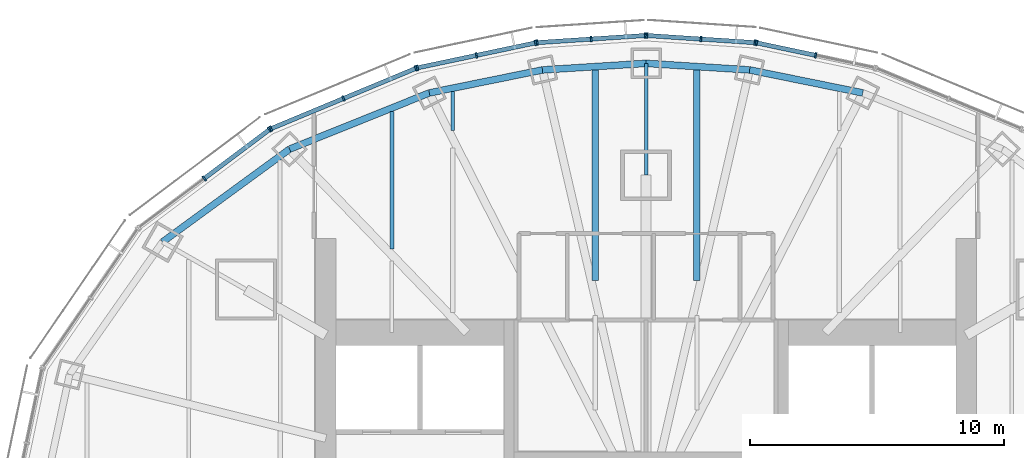
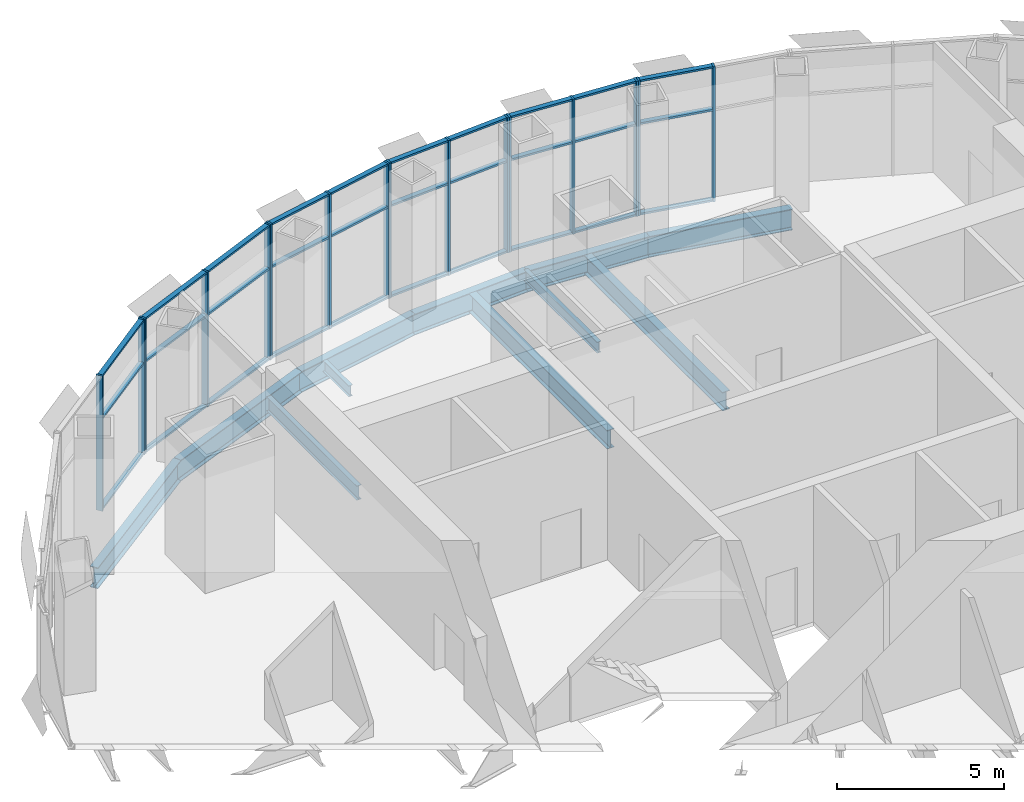
# One storey, part 7 of 17: 46 members, 11 beams, 6 elements without a shape of their own.
"""IFC4 building model written with IfcOpenShell, lengths in metres."""

import ifcopenshell
import ifcopenshell.guid

model = None  # the IFC model being written
_history = None  # IfcOwnerHistory: only IFC2X3 demands one
_inside = {}  # id of a spatial element -> (the spatial element, [elements in it])
_under = {}  # id of a project, library or spatial element -> (it, [spatial elements below it])
_declared = {}  # id of a project -> (the project, [libraries it declares])
_typed = {}  # id of a type object -> (the type object, [elements of that type])
_made_of = {}  # id of a material, layer set ... -> (it, [elements and type objects made of it])


def new_model(schema):
    """Start an empty IFC model of exactly this schema.

    Asked for "IFC4X3", IfcOpenShell would pick the latest addendum, in which some entities
    have other attributes; the version numbers below select the first issue.
    IFC2X3 requires an IfcOwnerHistory on every rooted entity: one is made here for all.
    """
    global model, _history
    if schema == "IFC4X3":
        model = ifcopenshell.file(schema_version=(4, 3, 0, 0))
    else:
        model = ifcopenshell.file(schema=schema)
    _inside.clear()
    _under.clear()
    _declared.clear()
    _typed.clear()
    _made_of.clear()
    _history = None
    if model.schema == "IFC2X3":
        org = make("IfcOrganization", Name="unknown")
        user = make(
            "IfcPersonAndOrganization",
            ThePerson=make("IfcPerson", FamilyName="unknown"),
            TheOrganization=org,
        )
        app = make(
            "IfcApplication",
            ApplicationDeveloper=org,
            Version="unknown",
            ApplicationFullName="unknown",
            ApplicationIdentifier="unknown",
        )
        _history = make(
            "IfcOwnerHistory",
            OwningUser=user,
            OwningApplication=app,
            ChangeAction="ADDED",
            CreationDate=0,
        )
    return model


def make(cls, **values):
    """One entity of the class cls with the attributes given. An attribute that is None is left unset."""
    return model.create_entity(
        cls, **{name: value for name, value in values.items() if value is not None}
    )


def rooted(cls, **values):
    """An entity with a GlobalId (a new one), such as an element, a storey or a relation."""
    return make(cls, GlobalId=ifcopenshell.guid.new(), OwnerHistory=_history, **values)


def si_unit(unit_type, name, prefix=None):
    """IfcSIUnit, for example si_unit("LENGTHUNIT", "METRE", prefix="MILLI")."""
    return make("IfcSIUnit", UnitType=unit_type, Prefix=prefix, Name=name)


def assignment(units):
    """IfcUnitAssignment: the units of a project."""
    return None if units is None else make("IfcUnitAssignment", Units=units)


def point(xyz):
    """IfcCartesianPoint."""
    return None if xyz is None else make("IfcCartesianPoint", Coordinates=xyz)


def direction(xyz):
    """IfcDirection."""
    return None if xyz is None else make("IfcDirection", DirectionRatios=xyz)


def frame(location, z_axis=None, x_axis=None):
    """IfcAxis2Placement3D, a coordinate frame: its origin and axes. An axis left out is left unset."""
    return make(
        "IfcAxis2Placement3D",
        Location=point(location),
        Axis=direction(z_axis),
        RefDirection=direction(x_axis),
    )


def frame_2d(location, x_axis=None):
    """IfcAxis2Placement2D, a coordinate frame in the plane: its origin and x axis."""
    return make(
        "IfcAxis2Placement2D", Location=point(location), RefDirection=direction(x_axis)
    )


def origin():
    """The frame at (0, 0, 0) with its axes left unset."""
    return frame((0.0, 0.0, 0.0))


def origin_2d():
    """The frame at (0, 0) in the plane with its x axis left unset."""
    return frame_2d((0.0, 0.0))


def place(relative_to, where):
    """IfcLocalPlacement: puts the frame where relative to a parent placement (None: the world)."""
    return make(
        "IfcLocalPlacement", PlacementRelTo=relative_to, RelativePlacement=where
    )


def context(
    kind, dimensions, precision=None, world=None, true_north=None, identifier=None
):
    """IfcGeometricRepresentationContext, for example the 3D "Model" context."""
    return make(
        "IfcGeometricRepresentationContext",
        ContextIdentifier=identifier,
        ContextType=kind,
        CoordinateSpaceDimension=dimensions,
        Precision=precision,
        WorldCoordinateSystem=world,
        TrueNorth=true_north,
    )


def subcontext(parent, identifier, kind, view, scale=None):
    """IfcGeometricRepresentationSubContext, for example "Body" below "Model"."""
    return make(
        "IfcGeometricRepresentationSubContext",
        ContextIdentifier=identifier,
        ContextType=kind,
        ParentContext=parent,
        TargetScale=scale,
        TargetView=view,
    )


def project(units=None, contexts=None):
    """IfcProject with its units and contexts."""
    return rooted(
        "IfcProject",
        Name="project",
        RepresentationContexts=contexts,
        UnitsInContext=assignment(units),
    )


def spatial(cls, under=None, at=None, **own):
    """A site, building, storey or space (cls), placed at a placement, below another one or the project."""
    s = rooted(cls, ObjectPlacement=at, **own)
    if under is not None:
        _under.setdefault(under.id(), (under, []))[1].append(s)
    return s


def profile(cls, at=None, kind="AREA", **sizes):
    """A parametric profile (cls). Its sizes go by their IFC names, for example OverallWidth=200.0."""
    return make(cls, ProfileType=kind, Position=at, **sizes)


def rectangle(**sizes):
    """IfcRectangleProfileDef."""
    return profile("IfcRectangleProfileDef", **sizes)


def i_section(**sizes):
    """IfcIShapeProfileDef."""
    return profile("IfcIShapeProfileDef", **sizes)


def extrude(swept, where, along, depth):
    """IfcExtrudedAreaSolid: the profile swept, set in the frame where, extruded along a direction by depth."""
    return make(
        "IfcExtrudedAreaSolid",
        SweptArea=swept,
        Position=where,
        ExtrudedDirection=direction(along),
        Depth=depth,
    )


def shape(context_of_items, identifier, shape_type, items):
    """IfcShapeRepresentation: the items that make up one representation, for example the "Body"."""
    return make(
        "IfcShapeRepresentation",
        ContextOfItems=context_of_items,
        RepresentationIdentifier=identifier,
        RepresentationType=shape_type,
        Items=items,
    )


def material(Name=None, Category=None):
    """IfcMaterial."""
    return make("IfcMaterial", Name=Name, Category=Category)


def material_profile(
    of_material, cross_section, Name=None, Category=None, Priority=None
):
    """IfcMaterialProfile: a cross section and its material."""
    return make(
        "IfcMaterialProfile",
        Name=Name,
        Material=of_material,
        Profile=cross_section,
        Priority=Priority,
        Category=Category,
    )


def profile_set(profiles, Name=None, composite=None):
    """IfcMaterialProfileSet."""
    return make(
        "IfcMaterialProfileSet",
        Name=Name,
        MaterialProfiles=profiles,
        CompositeProfile=composite,
    )


def made_of(thing, what):
    """Note that an element or type object is made of a material, layer set ...; save() writes the relation."""
    if what is not None:
        _made_of.setdefault(what.id(), (what, []))[1].append(thing)
    return thing


def type_object(cls, material=None, **own):
    """A type object (cls), such as IfcWallType, which elements share."""
    return made_of(rooted(cls, **own), material)


def element(
    cls,
    number,
    at=None,
    inside=None,
    cuts=None,
    type_object=None,
    material=None,
    context=None,
    identifier="Body",
    shape_type=None,
    held_by="IfcProductDefinitionShape",
    body=None,
    shapes=None,
    **own,
):
    """One element of the class cls, such as IfcWall. Its Tag is "e" and its number.

    at: its placement. inside: the storey or other place that contains it. cuts: it is an
    opening in that element (IfcRelVoidsElement). A single representation is given by context,
    identifier, shape_type and body (its items); several are given by shapes. held_by: the class
    of the entity that holds the representations. save() writes the other relations.
    """
    e = rooted(cls, Tag="e%d" % number, ObjectPlacement=at, **own)
    if body is not None:
        shapes = [shape(context, identifier, shape_type, body)]
    if shapes is not None:
        e.Representation = make(held_by, Representations=shapes)
    if inside is not None:
        _inside.setdefault(inside.id(), (inside, []))[1].append(e)
    if cuts is not None:
        rooted(
            "IfcRelVoidsElement", RelatingBuildingElement=cuts, RelatedOpeningElement=e
        )
    if type_object is not None:
        _typed.setdefault(type_object.id(), (type_object, []))[1].append(e)
    return made_of(e, material)


def aggregate(whole, parts):
    """IfcRelAggregates: a whole, such as a stair, and the parts it consists of."""
    return rooted("IfcRelAggregates", RelatingObject=whole, RelatedObjects=parts)


def save(model, path):
    """Write the relations noted so far, then the file.

    IfcRelAggregates (storeys below a building ...), IfcRelContainedInSpatialStructure (elements
    in a storey), IfcRelDefinesByType, IfcRelAssociatesMaterial and IfcRelDeclares: one each for
    every whole, place, type object, material and project.
    """
    for whole, parts in _under.values():
        aggregate(whole, parts)
    for where, things in _inside.values():
        rooted(
            "IfcRelContainedInSpatialStructure",
            RelatedElements=things,
            RelatingStructure=where,
        )
    for kind, things in _typed.values():
        rooted("IfcRelDefinesByType", RelatedObjects=things, RelatingType=kind)
    for what, things in _made_of.values():
        rooted("IfcRelAssociatesMaterial", RelatedObjects=things, RelatingMaterial=what)
    for by, libraries in _declared.values():
        rooted("IfcRelDeclares", RelatingContext=by, RelatedDefinitions=libraries)
    model.write(path)


model = new_model("IFC4")

# Units and contexts
model_context = context("Model", 3, precision=1e-05, world=origin(), true_north=direction((0.0, 1.0)))
body_context = subcontext(model_context, "Body", "Model", "MODEL_VIEW")
ifc_project = project(units=[si_unit("LENGTHUNIT", "METRE"), si_unit("AREAUNIT", "SQUARE_METRE"), si_unit("VOLUMEUNIT", "CUBIC_METRE"), si_unit("PLANEANGLEUNIT", "RADIAN"), si_unit("MASSUNIT", "GRAM", prefix="KILO")], contexts=[model_context])

# Site, building, storey
site_placement = place(None, origin())
site = spatial("IfcSite", under=ifc_project, at=site_placement, CompositionType="ELEMENT")
building_placement = place(site_placement, origin())
building = spatial("IfcBuilding", under=site, at=building_placement, Name="Lantaw Convention Tower", CompositionType="ELEMENT")
storey_placement = place(building_placement, frame((0.0, 0.0, 279.39990234375)))
storey = spatial("IfcBuildingStorey", under=building, at=storey_placement, Name="L65", CompositionType="ELEMENT", Elevation=279.39990234375)

# Beams
ifc_material_1 = material(Name="Steel ASTM A992", Category="steel")
ifc_material_profile_1 = material_profile(ifc_material_1, i_section(OverallWidth=0.2666015625, OverallDepth=0.76953125, WebThickness=0.015625, FlangeThickness=0.025390625, FilletRadius=0.0126953125, at=origin_2d()), Name="W30X132")
ifc_profile_set_1 = profile_set([ifc_material_profile_1], Name="Steel ASTM A992")
beam_type_1 = type_object("IfcBeamType", Name="Beam E W30X132", PredefinedType="SPANDREL", material=ifc_profile_set_1)
beam_1_placement = place(storey_placement, frame((8.5283203125, 16.73779296875, -0.53466796875), z_axis=(-0.980006466425, 0.198965639657, 0.0), x_axis=(-0.198965639657, -0.980006466425, 0.0)))
element("IfcBeam", 1, at=beam_1_placement, inside=storey, type_object=beam_type_1, Name="Edge beam 5", PredefinedType="SPANDREL", context=body_context, shape_type="SweptSolid", body=[
    extrude(i_section(OverallWidth=0.2666015625, OverallDepth=0.76953125, WebThickness=0.015625, FlangeThickness=0.025390625, FilletRadius=0.0126953125, at=origin_2d()), origin(), (0.0, 0.0, 1.0), 4.546142578125),
])
for number, where, z_axis, x_axis, name in (
    (2, (4.072998046875, 17.642333984375, -0.53466796875), (-0.998006453216, 0.063111958769, 0.0), (-0.063111958769, -0.998006453216, 0.0), "Edge beam 6"),
    (3, (0.0, 17.89990234375, -0.53466796875), (-0.998006453216, -0.063111958769, 0.0), (0.063111958769, -0.998006453216, 0.0), "Edge beam 7"),
):
    element("IfcBeam", number, at=place(storey_placement, frame(where, z_axis=z_axis, x_axis=x_axis)), inside=storey, type_object=beam_type_1, Name=name, PredefinedType="SPANDREL", context=body_context, shape_type="SweptSolid", body=[
        extrude(i_section(OverallWidth=0.2666015625, OverallDepth=0.76953125, WebThickness=0.015625, FlangeThickness=0.025390625, FilletRadius=0.0126953125, at=origin_2d()), origin(), (0.0, 0.0, 1.0), 4.0810546875),
    ])
beam_2_placement = place(storey_placement, frame((-4.072998046875, 17.642333984375, -0.53466796875), z_axis=(-0.980006466425, -0.198965639657, 0.0), x_axis=(0.198965639657, -0.980006466425, 0.0)))
element("IfcBeam", 4, at=beam_2_placement, inside=storey, type_object=beam_type_1, Name="Edge beam 8", PredefinedType="SPANDREL", context=body_context, shape_type="SweptSolid", body=[
    extrude(i_section(OverallWidth=0.2666015625, OverallDepth=0.76953125, WebThickness=0.015625, FlangeThickness=0.025390625, FilletRadius=0.0126953125, at=origin_2d()), origin(), (0.0, 0.0, 1.0), 4.546142578125),
])
beam_3_placement = place(storey_placement, frame((-8.5283203125, 16.73779296875, -0.53466796875), z_axis=(-0.927779110974, -0.373129898615, 0.0), x_axis=(0.373129898615, -0.927779110974, 0.0)))
element("IfcBeam", 5, at=beam_3_placement, inside=storey, type_object=beam_type_1, Name="Edge beam 9", PredefinedType="SPANDREL", context=body_context, shape_type="SweptSolid", body=[
    extrude(i_section(OverallWidth=0.2666015625, OverallDepth=0.76953125, WebThickness=0.015625, FlangeThickness=0.025390625, FilletRadius=0.0126953125, at=origin_2d()), origin(), (0.0, 0.0, 1.0), 5.92724609375),
])
beam_4_placement = place(storey_placement, frame((-14.027587890625, 14.526123046875, -0.53466796875), z_axis=(-0.807371616826, -0.59004328006, 0.0), x_axis=(0.59004328006, -0.807371616826, 0.0)))
element("IfcBeam", 6, at=beam_4_placement, inside=storey, type_object=beam_type_1, Name="Edge beam 10", PredefinedType="SPANDREL", context=body_context, shape_type="SweptSolid", body=[
    extrude(i_section(OverallWidth=0.2666015625, OverallDepth=0.76953125, WebThickness=0.015625, FlangeThickness=0.025390625, FilletRadius=0.0126953125, at=origin_2d()), origin(), (0.0, 0.0, 1.0), 6.192138671875),
])
ifc_material_profile_2 = material_profile(ifc_material_1, i_section(OverallWidth=0.140380859375, OverallDepth=0.40380859375, WebThickness=0.007080078125, FlangeThickness=0.01123046875, FilletRadius=0.01025390625, at=origin_2d()), Name="W16X31")
ifc_profile_set_2 = profile_set([ifc_material_profile_2], Name="Steel ASTM A992")
beam_type_2 = type_object("IfcBeamType", Name="Beam G W16X31", PredefinedType="BEAM", material=ifc_profile_set_2)
beam_5_placement = place(storey_placement, frame((0.0, 13.5, -0.351806640625), z_axis=(0.0, 1.0, 0.0), x_axis=(-1.0, 0.0, 0.0)))
element("IfcBeam", 7, at=beam_5_placement, inside=storey, type_object=beam_type_2, Name="Floor girder on ray 7", PredefinedType="BEAM", context=body_context, shape_type="SweptSolid", body=[
    extrude(i_section(OverallWidth=0.140380859375, OverallDepth=0.40380859375, WebThickness=0.007080078125, FlangeThickness=0.01123046875, FilletRadius=0.01025390625, at=origin_2d()), origin(), (0.0, 0.0, 1.0), 4.39990234375),
])
ifc_material_profile_3 = material_profile(ifc_material_1, i_section(OverallWidth=0.140380859375, OverallDepth=0.40380859375, WebThickness=0.007080078125, FlangeThickness=0.01123046875, FilletRadius=0.01025390625, at=origin_2d()), Name="W16X31")
ifc_profile_set_3 = profile_set([ifc_material_profile_3], Name="Steel ASTM A992")
beam_type_3 = type_object("IfcBeamType", Name="Beam J W16X31", PredefinedType="JOIST", material=ifc_profile_set_3)
beam_6_placement = place(storey_placement, frame((-7.60009765625, 15.25439453125, -0.351806640625), z_axis=(0.0, 1.0, 0.0), x_axis=(-1.0, 0.0, 0.0)))
element("IfcBeam", 8, at=beam_6_placement, inside=storey, type_object=beam_type_3, Name="Floor joist", PredefinedType="JOIST", context=body_context, shape_type="SweptSolid", body=[
    extrude(i_section(OverallWidth=0.140380859375, OverallDepth=0.40380859375, WebThickness=0.007080078125, FlangeThickness=0.01123046875, FilletRadius=0.01025390625, at=origin_2d()), origin(), (0.0, 0.0, 1.0), 1.535888671875),
])
ifc_material_profile_4 = material_profile(ifc_material_1, i_section(OverallWidth=0.1650390625, OverallDepth=0.52587890625, WebThickness=0.0087890625, FlangeThickness=0.011474609375, FilletRadius=0.0126953125, at=origin_2d()), Name="W21X44")
ifc_profile_set_4 = profile_set([ifc_material_profile_4], Name="Steel ASTM A992")
beam_type_4 = type_object("IfcBeamType", Name="Beam J W21X44", PredefinedType="JOIST", material=ifc_profile_set_4)
beam_7_placement = place(storey_placement, frame((-10.0, 10.591064453125, -0.412841796875), z_axis=(0.0, 1.0, 0.0), x_axis=(-1.0, 0.0, 0.0)))
element("IfcBeam", 9, at=beam_7_placement, inside=storey, type_object=beam_type_4, Name="Floor joist", PredefinedType="JOIST", context=body_context, shape_type="SweptSolid", body=[
    extrude(i_section(OverallWidth=0.1650390625, OverallDepth=0.52587890625, WebThickness=0.0087890625, FlangeThickness=0.011474609375, FilletRadius=0.0126953125, at=origin_2d()), origin(), (0.0, 0.0, 1.0), 5.4111328125),
])
ifc_material_profile_5 = material_profile(ifc_material_1, i_section(OverallWidth=0.25390625, OverallDepth=0.683349609375, WebThickness=0.012451171875, FlangeThickness=0.01904296875, FilletRadius=0.01513671875, at=origin_2d()), Name="W27X94")
ifc_profile_set_5 = profile_set([ifc_material_profile_5], Name="Steel ASTM A992")
beam_type_5 = type_object("IfcBeamType", Name="Beam J W27X94", PredefinedType="JOIST", material=ifc_profile_set_5)
for number, where, z_axis, x_axis, name in (
    (10, (-2.0, 9.34619140625, -0.491455078125), (0.0, 1.0, 0.0), (-1.0, 0.0, 0.0), "Floor joist"),
    (11, (2.0, 9.34619140625, -0.491455078125), (0.0, 1.0, 0.0), (-1.0, 0.0, 0.0), "Floor joist"),
):
    element("IfcBeam", number, at=place(storey_placement, frame(where, z_axis=z_axis, x_axis=x_axis)), inside=storey, type_object=beam_type_5, Name=name, PredefinedType="JOIST", context=body_context, shape_type="SweptSolid", body=[
        extrude(i_section(OverallWidth=0.25390625, OverallDepth=0.683349609375, WebThickness=0.012451171875, FlangeThickness=0.01904296875, FilletRadius=0.01513671875, at=origin_2d()), origin(), (0.0, 0.0, 1.0), 8.293701171875),
    ])

# Curtain wall, members
ifc_material_2 = material(Name="Aluminium framed curtain wall", Category="aluminium")
curtain_wall_type = type_object("IfcCurtainWallType", Name="Executive floors curtain wall, pale aluminium", PredefinedType="USERDEFINED", material=ifc_material_2)
curtain_wall_1_placement = place(storey_placement, origin())
curtain_wall_1 = element("IfcCurtainWall", 12, at=curtain_wall_1_placement, inside=storey, type_object=curtain_wall_type, Name="Executive floors curtain wall, pale aluminium L65", ObjectType="UNITISED CURTAIN WALL", PredefinedType="USERDEFINED")
ifc_material_3 = material(Name="Aluminium 6063-T6", Category="aluminium")
ifc_material_profile_6 = material_profile(ifc_material_3, rectangle(XDim=0.219970703125, YDim=0.070068359375, at=origin_2d()), Name="CW-T mullion 70x220")
ifc_profile_set_6 = profile_set([ifc_material_profile_6], Name="Aluminium 6063-T6")
member_type_1 = type_object("IfcMemberType", Name="CW-T mullion 70x220", PredefinedType="MULLION", material=ifc_profile_set_6)
member_1_placement = place(storey_placement, frame((6.674072265625, 18.216064453125, -0.14990234375), z_axis=(0.0, 0.0, 1.0), x_axis=(-0.207039911975, -0.978332497083, 0.0)))
member_1 = element("IfcMember", 13, at=member_1_placement, type_object=member_type_1, Name="CW-T mullion 2", PredefinedType="MULLION", context=body_context, shape_type="SweptSolid", body=[
    extrude(rectangle(XDim=0.219970703125, YDim=0.070068359375, at=origin_2d()), origin(), (0.0, 0.0, 1.0), 4.949951171875),
])
member_2_placement = place(storey_placement, frame((4.354736328125, 18.706787109375, -0.14990234375), z_axis=(0.0, 0.0, 1.0), x_axis=(-0.207039911975, -0.978332497083, 0.0)))
member_2 = element("IfcMember", 14, at=member_2_placement, type_object=member_type_1, Name="CW-T mullion 3", PredefinedType="MULLION", context=body_context, shape_type="SweptSolid", body=[
    extrude(rectangle(XDim=0.219970703125, YDim=0.070068359375, at=origin_2d()), origin(), (0.0, 0.0, 1.0), 4.949951171875),
])

curtain_wall_2_placement = place(storey_placement, origin())
curtain_wall_2 = element("IfcCurtainWall", 15, at=curtain_wall_2_placement, inside=storey, type_object=curtain_wall_type, Name="Executive floors curtain wall, pale aluminium L65", ObjectType="UNITISED CURTAIN WALL", PredefinedType="USERDEFINED")
member_3_placement = place(storey_placement, frame((4.28564453125, 18.71630859375, -0.14990234375), z_axis=(0.0, 0.0, 1.0), x_axis=(-0.066024902273, -0.997817975525, 0.0)))
member_3 = element("IfcMember", 16, at=member_3_placement, type_object=member_type_1, Name="CW-T mullion 1", PredefinedType="MULLION", context=body_context, shape_type="SweptSolid", body=[
    extrude(rectangle(XDim=0.219970703125, YDim=0.070068359375, at=origin_2d()), origin(), (0.0, 0.0, 1.0), 4.949951171875),
])
member_4_placement = place(storey_placement, frame((2.16015625, 18.857177734375, -0.14990234375), z_axis=(0.0, 0.0, 1.0), x_axis=(-0.066024902273, -0.997817975525, 0.0)))
member_4 = element("IfcMember", 17, at=member_4_placement, type_object=member_type_1, Name="CW-T mullion 2", PredefinedType="MULLION", context=body_context, shape_type="SweptSolid", body=[
    extrude(rectangle(XDim=0.219970703125, YDim=0.070068359375, at=origin_2d()), origin(), (0.0, 0.0, 1.0), 4.949951171875),
])
member_5_placement = place(storey_placement, frame((0.034912109375, 18.997802734375, -0.14990234375), z_axis=(0.0, 0.0, 1.0), x_axis=(-0.066024902273, -0.997817975525, 0.0)))
member_5 = element("IfcMember", 18, at=member_5_placement, type_object=member_type_1, Name="CW-T mullion 3", PredefinedType="MULLION", context=body_context, shape_type="SweptSolid", body=[
    extrude(rectangle(XDim=0.219970703125, YDim=0.070068359375, at=origin_2d()), origin(), (0.0, 0.0, 1.0), 4.949951171875),
])

curtain_wall_3_placement = place(storey_placement, origin())
curtain_wall_3 = element("IfcCurtainWall", 19, at=curtain_wall_3_placement, inside=storey, type_object=curtain_wall_type, Name="Executive floors curtain wall, pale aluminium L65", ObjectType="UNITISED CURTAIN WALL", PredefinedType="USERDEFINED")
member_6_placement = place(storey_placement, frame((-0.034912109375, 18.997802734375, -0.14990234375), z_axis=(0.0, 0.0, 1.0), x_axis=(0.066024902273, -0.997817975525, 0.0)))
member_6 = element("IfcMember", 20, at=member_6_placement, type_object=member_type_1, Name="CW-T mullion 1", PredefinedType="MULLION", context=body_context, shape_type="SweptSolid", body=[
    extrude(rectangle(XDim=0.219970703125, YDim=0.070068359375, at=origin_2d()), origin(), (0.0, 0.0, 1.0), 4.949951171875),
])
member_7_placement = place(storey_placement, frame((-2.16015625, 18.857177734375, -0.14990234375), z_axis=(0.0, 0.0, 1.0), x_axis=(0.066024902273, -0.997817975525, 0.0)))
member_7 = element("IfcMember", 21, at=member_7_placement, type_object=member_type_1, Name="CW-T mullion 2", PredefinedType="MULLION", context=body_context, shape_type="SweptSolid", body=[
    extrude(rectangle(XDim=0.219970703125, YDim=0.070068359375, at=origin_2d()), origin(), (0.0, 0.0, 1.0), 4.949951171875),
])
member_8_placement = place(storey_placement, frame((-4.28564453125, 18.71630859375, -0.14990234375), z_axis=(0.0, 0.0, 1.0), x_axis=(0.066024902273, -0.997817975525, 0.0)))
member_8 = element("IfcMember", 22, at=member_8_placement, type_object=member_type_1, Name="CW-T mullion 3", PredefinedType="MULLION", context=body_context, shape_type="SweptSolid", body=[
    extrude(rectangle(XDim=0.219970703125, YDim=0.070068359375, at=origin_2d()), origin(), (0.0, 0.0, 1.0), 4.949951171875),
])

curtain_wall_4_placement = place(storey_placement, origin())
curtain_wall_4 = element("IfcCurtainWall", 23, at=curtain_wall_4_placement, inside=storey, type_object=curtain_wall_type, Name="Executive floors curtain wall, pale aluminium L65", ObjectType="UNITISED CURTAIN WALL", PredefinedType="USERDEFINED")
member_9_placement = place(storey_placement, frame((-4.354736328125, 18.706787109375, -0.14990234375), z_axis=(0.0, 0.0, 1.0), x_axis=(0.207039911975, -0.978332497083, 0.0)))
member_9 = element("IfcMember", 24, at=member_9_placement, type_object=member_type_1, Name="CW-T mullion 1", PredefinedType="MULLION", context=body_context, shape_type="SweptSolid", body=[
    extrude(rectangle(XDim=0.219970703125, YDim=0.070068359375, at=origin_2d()), origin(), (0.0, 0.0, 1.0), 4.949951171875),
])
member_10_placement = place(storey_placement, frame((-6.674072265625, 18.216064453125, -0.14990234375), z_axis=(0.0, 0.0, 1.0), x_axis=(0.207039911975, -0.978332497083, 0.0)))
member_10 = element("IfcMember", 25, at=member_10_placement, type_object=member_type_1, Name="CW-T mullion 2", PredefinedType="MULLION", context=body_context, shape_type="SweptSolid", body=[
    extrude(rectangle(XDim=0.219970703125, YDim=0.070068359375, at=origin_2d()), origin(), (0.0, 0.0, 1.0), 4.949951171875),
])
member_11_placement = place(storey_placement, frame((-8.993408203125, 17.72509765625, -0.14990234375), z_axis=(0.0, 0.0, 1.0), x_axis=(0.207039911975, -0.978332497083, 0.0)))
member_11 = element("IfcMember", 26, at=member_11_placement, type_object=member_type_1, Name="CW-T mullion 3", PredefinedType="MULLION", context=body_context, shape_type="SweptSolid", body=[
    extrude(rectangle(XDim=0.219970703125, YDim=0.070068359375, at=origin_2d()), origin(), (0.0, 0.0, 1.0), 4.949951171875),
])

curtain_wall_5_placement = place(storey_placement, origin())
curtain_wall_5 = element("IfcCurtainWall", 27, at=curtain_wall_5_placement, inside=storey, type_object=curtain_wall_type, Name="Executive floors curtain wall, pale aluminium L65", ObjectType="UNITISED CURTAIN WALL", PredefinedType="USERDEFINED")
member_12_placement = place(storey_placement, frame((-9.06005859375, 17.70458984375, -0.14990234375), z_axis=(0.0, 0.0, 1.0), x_axis=(0.384459697924, -0.923141777124, 0.0)))
member_12 = element("IfcMember", 28, at=member_12_placement, type_object=member_type_1, Name="CW-T mullion 1", PredefinedType="MULLION", context=body_context, shape_type="SweptSolid", body=[
    extrude(rectangle(XDim=0.219970703125, YDim=0.070068359375, at=origin_2d()), origin(), (0.0, 0.0, 1.0), 4.949951171875),
])
member_13_placement = place(storey_placement, frame((-11.90966796875, 16.517578125, -0.14990234375), z_axis=(0.0, 0.0, 1.0), x_axis=(0.384459697924, -0.923141777124, 0.0)))
member_13 = element("IfcMember", 29, at=member_13_placement, type_object=member_type_1, Name="CW-T mullion 2", PredefinedType="MULLION", context=body_context, shape_type="SweptSolid", body=[
    extrude(rectangle(XDim=0.219970703125, YDim=0.070068359375, at=origin_2d()), origin(), (0.0, 0.0, 1.0), 4.949951171875),
])
member_14_placement = place(storey_placement, frame((-14.759521484375, 15.330810546875, -0.14990234375), z_axis=(0.0, 0.0, 1.0), x_axis=(0.384459697924, -0.923141777124, 0.0)))
member_14 = element("IfcMember", 30, at=member_14_placement, type_object=member_type_1, Name="CW-T mullion 3", PredefinedType="MULLION", context=body_context, shape_type="SweptSolid", body=[
    extrude(rectangle(XDim=0.219970703125, YDim=0.070068359375, at=origin_2d()), origin(), (0.0, 0.0, 1.0), 4.949951171875),
])

curtain_wall_6_placement = place(storey_placement, origin())
curtain_wall_6 = element("IfcCurtainWall", 31, at=curtain_wall_6_placement, inside=storey, type_object=curtain_wall_type, Name="Executive floors curtain wall, pale aluminium L65", ObjectType="UNITISED CURTAIN WALL", PredefinedType="USERDEFINED")
member_15_placement = place(storey_placement, frame((-14.81982421875, 15.29638671875, -0.14990234375), z_axis=(0.0, 0.0, 1.0), x_axis=(0.600642756762, -0.799517528732, 0.0)))
member_15 = element("IfcMember", 32, at=member_15_placement, type_object=member_type_1, Name="CW-T mullion 1", PredefinedType="MULLION", context=body_context, shape_type="SweptSolid", body=[
    extrude(rectangle(XDim=0.219970703125, YDim=0.070068359375, at=origin_2d()), origin(), (0.0, 0.0, 1.0), 4.949951171875),
])
member_16_placement = place(storey_placement, frame((-17.386962890625, 13.367919921875, -0.14990234375), z_axis=(0.0, 0.0, 1.0), x_axis=(0.600642756762, -0.799517528732, 0.0)))
member_16 = element("IfcMember", 33, at=member_16_placement, type_object=member_type_1, Name="CW-T mullion 2", PredefinedType="MULLION", context=body_context, shape_type="SweptSolid", body=[
    extrude(rectangle(XDim=0.219970703125, YDim=0.070068359375, at=origin_2d()), origin(), (0.0, 0.0, 1.0), 4.949951171875),
])

# Member
ifc_material_profile_7 = material_profile(ifc_material_3, rectangle(XDim=0.169921875, YDim=0.070068359375, at=origin_2d()), Name="CW-T transom 70x170")
ifc_profile_set_7 = profile_set([ifc_material_profile_7], Name="Aluminium 6063-T6")
member_type_2 = type_object("IfcMemberType", Name="CW-T transom 70x170", PredefinedType="USERDEFINED", material=ifc_profile_set_7)
member_17_placement = place(storey_placement, frame((6.639892578125, 18.223388671875, -0.114990234375), z_axis=(-0.978336479598, 0.207021092375, 0.0), x_axis=(-0.207021092375, -0.978336479598, 0.0)))
member_17 = element("IfcMember", 34, at=member_17_placement, type_object=member_type_2, Name="CW-T transom 2.1", ObjectType="TRANSOM", PredefinedType="USERDEFINED", context=body_context, shape_type="SweptSolid", body=[
    extrude(rectangle(XDim=0.169921875, YDim=0.070068359375, at=origin_2d()), origin(), (0.0, 0.0, 1.0), 2.30078125),
])

member_18_placement = place(storey_placement, frame((6.639892578125, 18.223388671875, 3.2001953125), z_axis=(-0.978336479598, 0.207021092375, 0.0), x_axis=(-0.207021092375, -0.978336479598, 0.0)))
member_18 = element("IfcMember", 35, at=member_18_placement, type_object=member_type_2, Name="CW-T transom 2.2", ObjectType="TRANSOM", PredefinedType="USERDEFINED", context=body_context, shape_type="SweptSolid", body=[
    extrude(rectangle(XDim=0.169921875, YDim=0.070068359375, at=origin_2d()), origin(), (0.0, 0.0, 1.0), 2.30078125),
])

member_19_placement = place(storey_placement, frame((6.639892578125, 18.223388671875, 4.76513671875), z_axis=(-0.978336479598, 0.207021092375, 0.0), x_axis=(-0.207021092375, -0.978336479598, 0.0)))
member_19 = element("IfcMember", 36, at=member_19_placement, type_object=member_type_2, Name="CW-T transom 2.3", ObjectType="TRANSOM", PredefinedType="USERDEFINED", context=body_context, shape_type="SweptSolid", body=[
    extrude(rectangle(XDim=0.169921875, YDim=0.070068359375, at=origin_2d()), origin(), (0.0, 0.0, 1.0), 2.30078125),
])

aggregate(curtain_wall_1, [member_1, member_2, member_17, member_18, member_19])

member_20_placement = place(storey_placement, frame((4.250732421875, 18.71875, -0.114990234375), z_axis=(-0.997819110413, 0.066007748753, 0.0), x_axis=(-0.066007748753, -0.997819110413, 0.0)))
member_20 = element("IfcMember", 37, at=member_20_placement, type_object=member_type_2, Name="CW-T transom 1.1", ObjectType="TRANSOM", PredefinedType="USERDEFINED", context=body_context, shape_type="SweptSolid", body=[
    extrude(rectangle(XDim=0.169921875, YDim=0.070068359375, at=origin_2d()), origin(), (0.0, 0.0, 1.0), 2.06005859375),
])

member_21_placement = place(storey_placement, frame((4.250732421875, 18.71875, 3.2001953125), z_axis=(-0.997819110413, 0.066007748753, 0.0), x_axis=(-0.066007748753, -0.997819110413, 0.0)))
member_21 = element("IfcMember", 38, at=member_21_placement, type_object=member_type_2, Name="CW-T transom 1.2", ObjectType="TRANSOM", PredefinedType="USERDEFINED", context=body_context, shape_type="SweptSolid", body=[
    extrude(rectangle(XDim=0.169921875, YDim=0.070068359375, at=origin_2d()), origin(), (0.0, 0.0, 1.0), 2.06005859375),
])

member_22_placement = place(storey_placement, frame((4.250732421875, 18.71875, 4.76513671875), z_axis=(-0.997819110413, 0.066007748753, 0.0), x_axis=(-0.066007748753, -0.997819110413, 0.0)))
member_22 = element("IfcMember", 39, at=member_22_placement, type_object=member_type_2, Name="CW-T transom 1.3", ObjectType="TRANSOM", PredefinedType="USERDEFINED", context=body_context, shape_type="SweptSolid", body=[
    extrude(rectangle(XDim=0.169921875, YDim=0.070068359375, at=origin_2d()), origin(), (0.0, 0.0, 1.0), 2.06005859375),
])

member_23_placement = place(storey_placement, frame((2.125244140625, 18.859375, -0.114990234375), z_axis=(-0.997818593988, 0.066015554918, 0.0), x_axis=(-0.066015554918, -0.997818593988, 0.0)))
member_23 = element("IfcMember", 40, at=member_23_placement, type_object=member_type_2, Name="CW-T transom 2.1", ObjectType="TRANSOM", PredefinedType="USERDEFINED", context=body_context, shape_type="SweptSolid", body=[
    extrude(rectangle(XDim=0.169921875, YDim=0.070068359375, at=origin_2d()), origin(), (0.0, 0.0, 1.0), 2.059814453125),
])

member_24_placement = place(storey_placement, frame((2.125244140625, 18.859375, 3.2001953125), z_axis=(-0.997818593988, 0.066015554918, 0.0), x_axis=(-0.066015554918, -0.997818593988, 0.0)))
member_24 = element("IfcMember", 41, at=member_24_placement, type_object=member_type_2, Name="CW-T transom 2.2", ObjectType="TRANSOM", PredefinedType="USERDEFINED", context=body_context, shape_type="SweptSolid", body=[
    extrude(rectangle(XDim=0.169921875, YDim=0.070068359375, at=origin_2d()), origin(), (0.0, 0.0, 1.0), 2.059814453125),
])

member_25_placement = place(storey_placement, frame((2.125244140625, 18.859375, 4.76513671875), z_axis=(-0.997818593988, 0.066015554918, 0.0), x_axis=(-0.066015554918, -0.997818593988, 0.0)))
member_25 = element("IfcMember", 42, at=member_25_placement, type_object=member_type_2, Name="CW-T transom 2.3", ObjectType="TRANSOM", PredefinedType="USERDEFINED", context=body_context, shape_type="SweptSolid", body=[
    extrude(rectangle(XDim=0.169921875, YDim=0.070068359375, at=origin_2d()), origin(), (0.0, 0.0, 1.0), 2.059814453125),
])

aggregate(curtain_wall_2, [member_3, member_4, member_5, member_20, member_21, member_22, member_23, member_24, member_25])

member_26_placement = place(storey_placement, frame((-0.06982421875, 18.995361328125, -0.114990234375), z_axis=(-0.997818593988, -0.066015554918, 0.0), x_axis=(0.066015554918, -0.997818593988, 0.0)))
member_26 = element("IfcMember", 43, at=member_26_placement, type_object=member_type_2, Name="CW-T transom 1.1", ObjectType="TRANSOM", PredefinedType="USERDEFINED", context=body_context, shape_type="SweptSolid", body=[
    extrude(rectangle(XDim=0.169921875, YDim=0.070068359375, at=origin_2d()), origin(), (0.0, 0.0, 1.0), 2.059814453125),
])

member_27_placement = place(storey_placement, frame((-0.06982421875, 18.995361328125, 3.2001953125), z_axis=(-0.997818593988, -0.066015554918, 0.0), x_axis=(0.066015554918, -0.997818593988, 0.0)))
member_27 = element("IfcMember", 44, at=member_27_placement, type_object=member_type_2, Name="CW-T transom 1.2", ObjectType="TRANSOM", PredefinedType="USERDEFINED", context=body_context, shape_type="SweptSolid", body=[
    extrude(rectangle(XDim=0.169921875, YDim=0.070068359375, at=origin_2d()), origin(), (0.0, 0.0, 1.0), 2.059814453125),
])

member_28_placement = place(storey_placement, frame((-0.06982421875, 18.995361328125, 4.76513671875), z_axis=(-0.997818593988, -0.066015554918, 0.0), x_axis=(0.066015554918, -0.997818593988, 0.0)))
member_28 = element("IfcMember", 45, at=member_28_placement, type_object=member_type_2, Name="CW-T transom 1.3", ObjectType="TRANSOM", PredefinedType="USERDEFINED", context=body_context, shape_type="SweptSolid", body=[
    extrude(rectangle(XDim=0.169921875, YDim=0.070068359375, at=origin_2d()), origin(), (0.0, 0.0, 1.0), 2.059814453125),
])

member_29_placement = place(storey_placement, frame((-2.195068359375, 18.854736328125, -0.114990234375), z_axis=(-0.997819110413, -0.066007748753, 0.0), x_axis=(0.066007748753, -0.997819110413, 0.0)))
member_29 = element("IfcMember", 46, at=member_29_placement, type_object=member_type_2, Name="CW-T transom 2.1", ObjectType="TRANSOM", PredefinedType="USERDEFINED", context=body_context, shape_type="SweptSolid", body=[
    extrude(rectangle(XDim=0.169921875, YDim=0.070068359375, at=origin_2d()), origin(), (0.0, 0.0, 1.0), 2.06005859375),
])

member_30_placement = place(storey_placement, frame((-2.195068359375, 18.854736328125, 3.2001953125), z_axis=(-0.997819110413, -0.066007748753, 0.0), x_axis=(0.066007748753, -0.997819110413, 0.0)))
member_30 = element("IfcMember", 47, at=member_30_placement, type_object=member_type_2, Name="CW-T transom 2.2", ObjectType="TRANSOM", PredefinedType="USERDEFINED", context=body_context, shape_type="SweptSolid", body=[
    extrude(rectangle(XDim=0.169921875, YDim=0.070068359375, at=origin_2d()), origin(), (0.0, 0.0, 1.0), 2.06005859375),
])

member_31_placement = place(storey_placement, frame((-2.195068359375, 18.854736328125, 4.76513671875), z_axis=(-0.997819110413, -0.066007748753, 0.0), x_axis=(0.066007748753, -0.997819110413, 0.0)))
member_31 = element("IfcMember", 48, at=member_31_placement, type_object=member_type_2, Name="CW-T transom 2.3", ObjectType="TRANSOM", PredefinedType="USERDEFINED", context=body_context, shape_type="SweptSolid", body=[
    extrude(rectangle(XDim=0.169921875, YDim=0.070068359375, at=origin_2d()), origin(), (0.0, 0.0, 1.0), 2.06005859375),
])

aggregate(curtain_wall_3, [member_6, member_7, member_8, member_26, member_27, member_28, member_29, member_30, member_31])

member_32_placement = place(storey_placement, frame((-4.388916015625, 18.69970703125, -0.114990234375), z_axis=(-0.978336479598, -0.207021092375, 0.0), x_axis=(0.207021092375, -0.978336479598, 0.0)))
member_32 = element("IfcMember", 49, at=member_32_placement, type_object=member_type_2, Name="CW-T transom 1.1", ObjectType="TRANSOM", PredefinedType="USERDEFINED", context=body_context, shape_type="SweptSolid", body=[
    extrude(rectangle(XDim=0.169921875, YDim=0.070068359375, at=origin_2d()), origin(), (0.0, 0.0, 1.0), 2.30078125),
])

member_33_placement = place(storey_placement, frame((-4.388916015625, 18.69970703125, 3.2001953125), z_axis=(-0.978336479598, -0.207021092375, 0.0), x_axis=(0.207021092375, -0.978336479598, 0.0)))
member_33 = element("IfcMember", 50, at=member_33_placement, type_object=member_type_2, Name="CW-T transom 1.2", ObjectType="TRANSOM", PredefinedType="USERDEFINED", context=body_context, shape_type="SweptSolid", body=[
    extrude(rectangle(XDim=0.169921875, YDim=0.070068359375, at=origin_2d()), origin(), (0.0, 0.0, 1.0), 2.30078125),
])

member_34_placement = place(storey_placement, frame((-4.388916015625, 18.69970703125, 4.76513671875), z_axis=(-0.978336479598, -0.207021092375, 0.0), x_axis=(0.207021092375, -0.978336479598, 0.0)))
member_34 = element("IfcMember", 51, at=member_34_placement, type_object=member_type_2, Name="CW-T transom 1.3", ObjectType="TRANSOM", PredefinedType="USERDEFINED", context=body_context, shape_type="SweptSolid", body=[
    extrude(rectangle(XDim=0.169921875, YDim=0.070068359375, at=origin_2d()), origin(), (0.0, 0.0, 1.0), 2.30078125),
])

member_35_placement = place(storey_placement, frame((-6.708251953125, 18.208740234375, -0.114990234375), z_axis=(-0.978336479598, -0.207021092375, 0.0), x_axis=(0.207021092375, -0.978336479598, 0.0)))
member_35 = element("IfcMember", 52, at=member_35_placement, type_object=member_type_2, Name="CW-T transom 2.1", ObjectType="TRANSOM", PredefinedType="USERDEFINED", context=body_context, shape_type="SweptSolid", body=[
    extrude(rectangle(XDim=0.169921875, YDim=0.070068359375, at=origin_2d()), origin(), (0.0, 0.0, 1.0), 2.30078125),
])

member_36_placement = place(storey_placement, frame((-6.708251953125, 18.208740234375, 3.2001953125), z_axis=(-0.978336479598, -0.207021092375, 0.0), x_axis=(0.207021092375, -0.978336479598, 0.0)))
member_36 = element("IfcMember", 53, at=member_36_placement, type_object=member_type_2, Name="CW-T transom 2.2", ObjectType="TRANSOM", PredefinedType="USERDEFINED", context=body_context, shape_type="SweptSolid", body=[
    extrude(rectangle(XDim=0.169921875, YDim=0.070068359375, at=origin_2d()), origin(), (0.0, 0.0, 1.0), 2.30078125),
])

member_37_placement = place(storey_placement, frame((-6.708251953125, 18.208740234375, 4.76513671875), z_axis=(-0.978336479598, -0.207021092375, 0.0), x_axis=(0.207021092375, -0.978336479598, 0.0)))
member_37 = element("IfcMember", 54, at=member_37_placement, type_object=member_type_2, Name="CW-T transom 2.3", ObjectType="TRANSOM", PredefinedType="USERDEFINED", context=body_context, shape_type="SweptSolid", body=[
    extrude(rectangle(XDim=0.169921875, YDim=0.070068359375, at=origin_2d()), origin(), (0.0, 0.0, 1.0), 2.30078125),
])

aggregate(curtain_wall_4, [member_9, member_10, member_11, member_32, member_33, member_34, member_35, member_36, member_37])

member_38_placement = place(storey_placement, frame((-9.09228515625, 17.69091796875, -0.114990234375), z_axis=(-0.923143943999, -0.384454494911, 0.0), x_axis=(0.384454494911, -0.923143943999, 0.0)))
member_38 = element("IfcMember", 55, at=member_38_placement, type_object=member_type_2, Name="CW-T transom 1.1", ObjectType="TRANSOM", PredefinedType="USERDEFINED", context=body_context, shape_type="SweptSolid", body=[
    extrude(rectangle(XDim=0.169921875, YDim=0.070068359375, at=origin_2d()), origin(), (0.0, 0.0, 1.0), 3.01708984375),
])

member_39_placement = place(storey_placement, frame((-9.09228515625, 17.69091796875, 3.2001953125), z_axis=(-0.923143943999, -0.384454494911, 0.0), x_axis=(0.384454494911, -0.923143943999, 0.0)))
member_39 = element("IfcMember", 56, at=member_39_placement, type_object=member_type_2, Name="CW-T transom 1.2", ObjectType="TRANSOM", PredefinedType="USERDEFINED", context=body_context, shape_type="SweptSolid", body=[
    extrude(rectangle(XDim=0.169921875, YDim=0.070068359375, at=origin_2d()), origin(), (0.0, 0.0, 1.0), 3.01708984375),
])

member_40_placement = place(storey_placement, frame((-9.09228515625, 17.69091796875, 4.76513671875), z_axis=(-0.923143943999, -0.384454494911, 0.0), x_axis=(0.384454494911, -0.923143943999, 0.0)))
member_40 = element("IfcMember", 57, at=member_40_placement, type_object=member_type_2, Name="CW-T transom 1.3", ObjectType="TRANSOM", PredefinedType="USERDEFINED", context=body_context, shape_type="SweptSolid", body=[
    extrude(rectangle(XDim=0.169921875, YDim=0.070068359375, at=origin_2d()), origin(), (0.0, 0.0, 1.0), 3.01708984375),
])

member_41_placement = place(storey_placement, frame((-11.942138671875, 16.504150390625, -0.114990234375), z_axis=(-0.923143943999, -0.384454494911, 0.0), x_axis=(0.384454494911, -0.923143943999, 0.0)))
member_41 = element("IfcMember", 58, at=member_41_placement, type_object=member_type_2, Name="CW-T transom 2.1", ObjectType="TRANSOM", PredefinedType="USERDEFINED", context=body_context, shape_type="SweptSolid", body=[
    extrude(rectangle(XDim=0.169921875, YDim=0.070068359375, at=origin_2d()), origin(), (0.0, 0.0, 1.0), 3.01708984375),
])

member_42_placement = place(storey_placement, frame((-11.942138671875, 16.504150390625, 3.2001953125), z_axis=(-0.923143943999, -0.384454494911, 0.0), x_axis=(0.384454494911, -0.923143943999, 0.0)))
member_42 = element("IfcMember", 59, at=member_42_placement, type_object=member_type_2, Name="CW-T transom 2.2", ObjectType="TRANSOM", PredefinedType="USERDEFINED", context=body_context, shape_type="SweptSolid", body=[
    extrude(rectangle(XDim=0.169921875, YDim=0.070068359375, at=origin_2d()), origin(), (0.0, 0.0, 1.0), 3.01708984375),
])

member_43_placement = place(storey_placement, frame((-11.942138671875, 16.504150390625, 4.76513671875), z_axis=(-0.923143943999, -0.384454494911, 0.0), x_axis=(0.384454494911, -0.923143943999, 0.0)))
member_43 = element("IfcMember", 60, at=member_43_placement, type_object=member_type_2, Name="CW-T transom 2.3", ObjectType="TRANSOM", PredefinedType="USERDEFINED", context=body_context, shape_type="SweptSolid", body=[
    extrude(rectangle(XDim=0.169921875, YDim=0.070068359375, at=origin_2d()), origin(), (0.0, 0.0, 1.0), 3.01708984375),
])

aggregate(curtain_wall_5, [member_12, member_13, member_14, member_38, member_39, member_40, member_41, member_42, member_43])

member_44_placement = place(storey_placement, frame((-14.847900390625, 15.275390625, -0.114990234375), z_axis=(-0.799505333284, -0.600658989819, 0.0), x_axis=(0.600658989819, -0.799505333284, 0.0)))
member_44 = element("IfcMember", 61, at=member_44_placement, type_object=member_type_2, Name="CW-T transom 1.1", ObjectType="TRANSOM", PredefinedType="USERDEFINED", context=body_context, shape_type="SweptSolid", body=[
    extrude(rectangle(XDim=0.169921875, YDim=0.070068359375, at=origin_2d()), origin(), (0.0, 0.0, 1.0), 3.140625),
])

member_45_placement = place(storey_placement, frame((-14.847900390625, 15.275390625, 3.2001953125), z_axis=(-0.799505333284, -0.600658989819, 0.0), x_axis=(0.600658989819, -0.799505333284, 0.0)))
member_45 = element("IfcMember", 62, at=member_45_placement, type_object=member_type_2, Name="CW-T transom 1.2", ObjectType="TRANSOM", PredefinedType="USERDEFINED", context=body_context, shape_type="SweptSolid", body=[
    extrude(rectangle(XDim=0.169921875, YDim=0.070068359375, at=origin_2d()), origin(), (0.0, 0.0, 1.0), 3.140625),
])

member_46_placement = place(storey_placement, frame((-14.847900390625, 15.275390625, 4.76513671875), z_axis=(-0.799505333284, -0.600658989819, 0.0), x_axis=(0.600658989819, -0.799505333284, 0.0)))
member_46 = element("IfcMember", 63, at=member_46_placement, type_object=member_type_2, Name="CW-T transom 1.3", ObjectType="TRANSOM", PredefinedType="USERDEFINED", context=body_context, shape_type="SweptSolid", body=[
    extrude(rectangle(XDim=0.169921875, YDim=0.070068359375, at=origin_2d()), origin(), (0.0, 0.0, 1.0), 3.140625),
])

aggregate(curtain_wall_6, [member_15, member_16, member_44, member_45, member_46])

save(model, "model.ifc")
